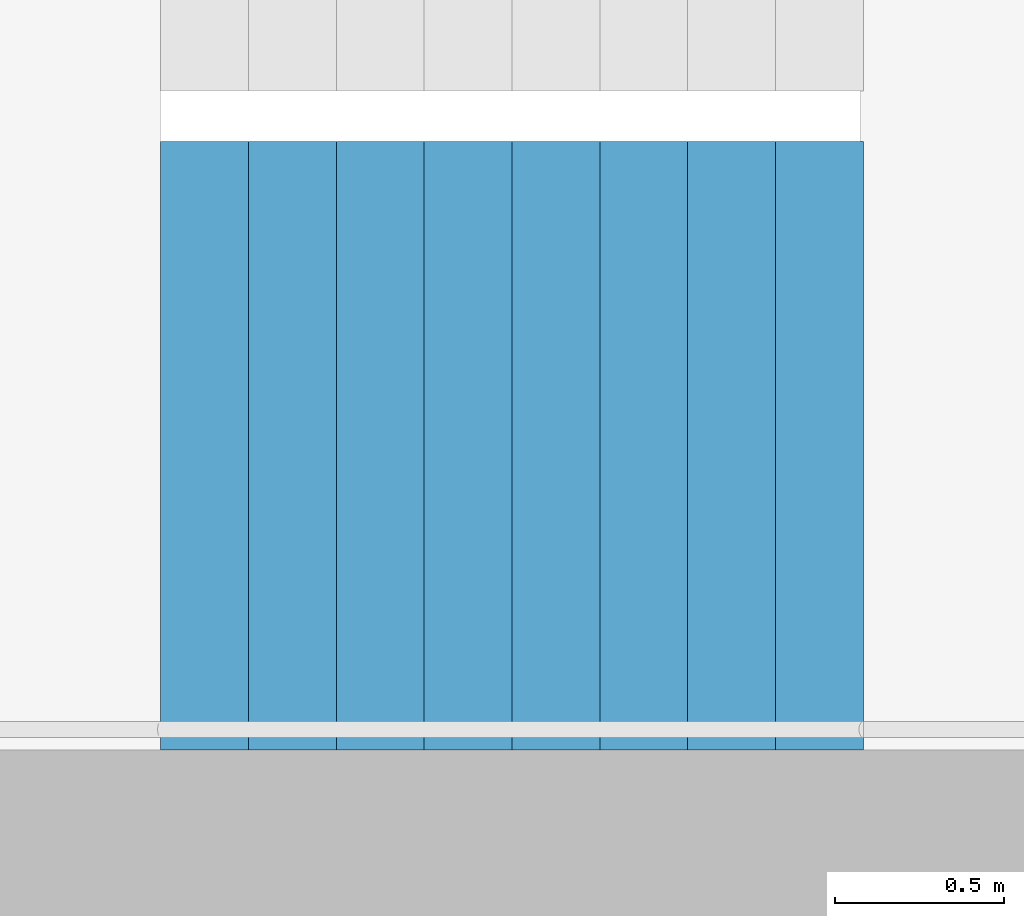
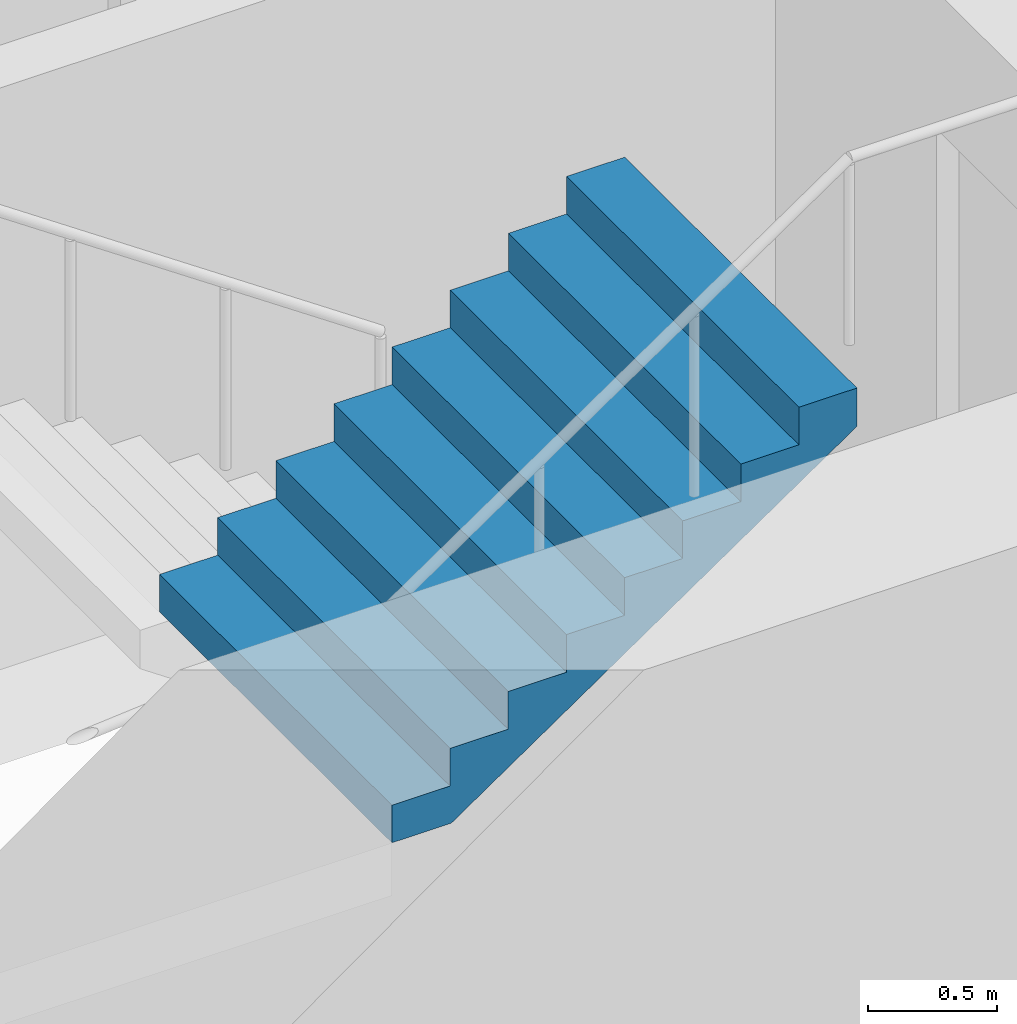
# One storey, part 18 of 26: 1 stair flight, 1 element without a shape of its own.
"""IFC4 building model written with IfcOpenShell, lengths in metres."""

from ifc_helpers import new_model, si_unit, direction, frame, origin, place, context, subcontext, project, spatial, triangles, material, type_object, element, aggregate, save


model = new_model("IFC4")

# Units and contexts
model_context = context("Model", 3, precision=1e-05, world=origin(), true_north=direction((0.0, 1.0)))
body_context = subcontext(model_context, "Body", "Model", "MODEL_VIEW")
ifc_project = project(units=[si_unit("LENGTHUNIT", "METRE"), si_unit("AREAUNIT", "SQUARE_METRE"), si_unit("VOLUMEUNIT", "CUBIC_METRE"), si_unit("PLANEANGLEUNIT", "RADIAN"), si_unit("MASSUNIT", "GRAM", prefix="KILO")], contexts=[model_context])

# Site, building, storey
site_placement = place(None, origin())
site = spatial("IfcSite", under=ifc_project, at=site_placement, CompositionType="ELEMENT")
building_placement = place(site_placement, origin())
building = spatial("IfcBuilding", under=site, at=building_placement, Name="Hakoniwa Tower and Hamabe Station Hall", CompositionType="ELEMENT")
storey_placement = place(building_placement, frame((0.0, 0.0, 189.800048828125)))
storey = spatial("IfcBuildingStorey", under=building, at=storey_placement, Name="L53", CompositionType="ELEMENT", Elevation=189.800048828125)

# Stair, stair flight
ifc_material_1 = material(Name="Concrete C40", Category="concrete")
stair_type = type_object("IfcStairType", Name="ESCAPE STAIR 1800", PredefinedType="HALF_TURN_STAIR", material=ifc_material_1)
stair_placement = place(storey_placement, origin())
stair = element("IfcStair", 1, at=stair_placement, inside=storey, type_object=stair_type, Name="Escape stair ST-2 L53", PredefinedType="HALF_TURN_STAIR")
ifc_material_2 = material(Name="Concrete C40", Category="concrete")
stair_flight_type = type_object("IfcStairFlightType", Name="STAIR FLIGHT 1800", PredefinedType="STRAIGHT", material=ifc_material_2)
stair_flight_placement = place(storey_placement, frame((-25.47998046875, -6.60009765625, 1.599853515625), z_axis=(0.0, 0.0, 1.0), x_axis=(1.0, 0.0, 0.0)))
stair_flight = element("IfcStairFlight", 2, at=stair_flight_placement, type_object=stair_flight_type, Name="ST-2 flight 2", NumberOfRisers=9, NumberOfTreads=8, PredefinedType="STRAIGHT", RiserHeight=0.177777778, TreadLength=0.26, context=body_context, shape_type="Tessellation", body=[
    triangles([(0.0, 0.89990234375, 0.0), (0.260009765625, 0.89990234375, 0.0), (0.265625, 0.89990234375, 0.0), (0.52001953125, 0.89990234375, 0.174072265625), (0.780029296875, 0.89990234375, 0.351806640625), (1.0400390625, 0.89990234375, 0.529541015625), (1.300048828125, 0.89990234375, 0.707275390625), (1.56005859375, 0.89990234375, 0.885009765625), (1.820068359375, 0.89990234375, 1.062744140625), (2.080078125, 0.89990234375, 1.24072265625), (2.080078125, 0.89990234375, 1.422119140625), (1.820068359375, 0.89990234375, 1.422119140625), (1.820068359375, 0.89990234375, 1.244384765625), (1.56005859375, 0.89990234375, 1.244384765625), (1.56005859375, 0.89990234375, 1.066650390625), (1.300048828125, 0.89990234375, 1.066650390625), (1.300048828125, 0.89990234375, 0.888916015625), (1.0400390625, 0.89990234375, 0.888916015625), (1.0400390625, 0.89990234375, 0.711181640625), (0.780029296875, 0.89990234375, 0.711181640625), (0.780029296875, 0.89990234375, 0.533447265625), (0.52001953125, 0.89990234375, 0.533447265625), (0.52001953125, 0.89990234375, 0.35546875), (0.265625, 0.89990234375, 0.35546875), (0.260009765625, 0.89990234375, 0.35546875), (0.260009765625, 0.89990234375, 0.177734375), (0.0, 0.89990234375, 0.177734375), (0.0, 0.06005859375, 0.0), (0.260009765625, 0.06005859375, 0.0), (0.265625, 0.06005859375, 0.0), (0.52001953125, 0.06005859375, 0.174072265625), (0.780029296875, 0.06005859375, 0.351806640625), (1.0400390625, 0.06005859375, 0.529541015625), (1.300048828125, 0.06005859375, 0.707275390625), (1.56005859375, 0.06005859375, 0.885009765625), (1.820068359375, 0.06005859375, 1.062744140625), (2.080078125, 0.06005859375, 1.24072265625), (2.080078125, 0.06005859375, 1.422119140625), (1.820068359375, 0.06005859375, 1.422119140625), (1.820068359375, 0.06005859375, 1.244384765625), (1.56005859375, 0.06005859375, 1.244384765625), (1.56005859375, 0.06005859375, 1.066650390625), (1.300048828125, 0.06005859375, 1.066650390625), (1.300048828125, 0.06005859375, 0.888916015625), (1.0400390625, 0.06005859375, 0.888916015625), (1.0400390625, 0.06005859375, 0.711181640625), (0.780029296875, 0.06005859375, 0.711181640625), (0.780029296875, 0.06005859375, 0.533447265625), (0.52001953125, 0.06005859375, 0.533447265625), (0.52001953125, 0.06005859375, 0.35546875), (0.265625, 0.06005859375, 0.35546875), (0.260009765625, 0.06005859375, 0.35546875), (0.260009765625, 0.06005859375, 0.177734375), (0.0, 0.06005859375, 0.177734375), (0.0, 0.04296875, 0.0), (0.260009765625, 0.04296875, 0.0), (0.265625, 0.04296875, 0.0), (0.52001953125, 0.04296875, 0.174072265625), (0.780029296875, 0.04296875, 0.351806640625), (1.0400390625, 0.04296875, 0.529541015625), (1.300048828125, 0.04296875, 0.707275390625), (1.56005859375, 0.04296875, 0.885009765625), (1.820068359375, 0.04296875, 1.062744140625), (2.080078125, 0.04296875, 1.24072265625), (2.080078125, 0.04296875, 1.422119140625), (1.820068359375, 0.04296875, 1.422119140625), (1.820068359375, 0.04296875, 1.244384765625), (1.56005859375, 0.04296875, 1.244384765625), (1.56005859375, 0.04296875, 1.066650390625), (1.300048828125, 0.04296875, 1.066650390625), (1.300048828125, 0.04296875, 0.888916015625), (1.0400390625, 0.04296875, 0.888916015625), (1.0400390625, 0.04296875, 0.711181640625), (0.780029296875, 0.04296875, 0.711181640625), (0.780029296875, 0.04296875, 0.533447265625), (0.52001953125, 0.04296875, 0.533447265625), (0.52001953125, 0.04296875, 0.35546875), (0.265625, 0.04296875, 0.35546875), (0.260009765625, 0.04296875, 0.35546875), (0.260009765625, 0.04296875, 0.177734375), (0.0, 0.04296875, 0.177734375), (0.0, 0.025634765625, 0.0), (0.260009765625, 0.025634765625, 0.0), (0.265625, 0.025634765625, 0.0), (0.52001953125, 0.025634765625, 0.174072265625), (0.780029296875, 0.025634765625, 0.351806640625), (1.0400390625, 0.025634765625, 0.529541015625), (1.300048828125, 0.025634765625, 0.707275390625), (1.56005859375, 0.025634765625, 0.885009765625), (1.820068359375, 0.025634765625, 1.062744140625), (2.080078125, 0.025634765625, 1.24072265625), (2.080078125, 0.025634765625, 1.422119140625), (1.820068359375, 0.025634765625, 1.422119140625), (1.820068359375, 0.025634765625, 1.244384765625), (1.56005859375, 0.025634765625, 1.244384765625), (1.56005859375, 0.025634765625, 1.066650390625), (1.300048828125, 0.025634765625, 1.066650390625), (1.300048828125, 0.025634765625, 0.888916015625), (1.0400390625, 0.025634765625, 0.888916015625), (1.0400390625, 0.025634765625, 0.711181640625), (0.780029296875, 0.025634765625, 0.711181640625), (0.780029296875, 0.025634765625, 0.533447265625), (0.52001953125, 0.025634765625, 0.533447265625), (0.52001953125, 0.025634765625, 0.35546875), (0.265625, 0.025634765625, 0.35546875), (0.260009765625, 0.025634765625, 0.35546875), (0.260009765625, 0.025634765625, 0.177734375), (0.0, 0.025634765625, 0.177734375), (0.0, 0.008544921875, 0.0), (0.260009765625, 0.008544921875, 0.0), (0.265625, 0.008544921875, 0.0), (0.52001953125, 0.008544921875, 0.174072265625), (0.780029296875, 0.008544921875, 0.351806640625), (1.0400390625, 0.008544921875, 0.529541015625), (1.300048828125, 0.008544921875, 0.707275390625), (1.56005859375, 0.008544921875, 0.885009765625), (1.820068359375, 0.008544921875, 1.062744140625), (2.080078125, 0.008544921875, 1.24072265625), (2.080078125, 0.008544921875, 1.422119140625), (1.820068359375, 0.008544921875, 1.422119140625), (1.820068359375, 0.008544921875, 1.244384765625), (1.56005859375, 0.008544921875, 1.244384765625), (1.56005859375, 0.008544921875, 1.066650390625), (1.300048828125, 0.008544921875, 1.066650390625), (1.300048828125, 0.008544921875, 0.888916015625), (1.0400390625, 0.008544921875, 0.888916015625), (1.0400390625, 0.008544921875, 0.711181640625), (0.780029296875, 0.008544921875, 0.711181640625), (0.780029296875, 0.008544921875, 0.533447265625), (0.52001953125, 0.008544921875, 0.533447265625), (0.52001953125, 0.008544921875, 0.35546875), (0.265625, 0.008544921875, 0.35546875), (0.260009765625, 0.008544921875, 0.35546875), (0.260009765625, 0.008544921875, 0.177734375), (0.0, 0.008544921875, 0.177734375), (0.0, -0.008544921875, 0.0), (0.260009765625, -0.008544921875, 0.0), (0.265625, -0.008544921875, 0.0), (0.52001953125, -0.008544921875, 0.174072265625), (0.780029296875, -0.008544921875, 0.351806640625), (1.0400390625, -0.008544921875, 0.529541015625), (1.300048828125, -0.008544921875, 0.707275390625), (1.56005859375, -0.008544921875, 0.885009765625), (1.820068359375, -0.008544921875, 1.062744140625), (2.080078125, -0.008544921875, 1.24072265625), (2.080078125, -0.008544921875, 1.422119140625), (1.820068359375, -0.008544921875, 1.422119140625), (1.820068359375, -0.008544921875, 1.244384765625), (1.56005859375, -0.008544921875, 1.244384765625), (1.56005859375, -0.008544921875, 1.066650390625), (1.300048828125, -0.008544921875, 1.066650390625), (1.300048828125, -0.008544921875, 0.888916015625), (1.0400390625, -0.008544921875, 0.888916015625), (1.0400390625, -0.008544921875, 0.711181640625), (0.780029296875, -0.008544921875, 0.711181640625), (0.780029296875, -0.008544921875, 0.533447265625), (0.52001953125, -0.008544921875, 0.533447265625), (0.52001953125, -0.008544921875, 0.35546875), (0.265625, -0.008544921875, 0.35546875), (0.260009765625, -0.008544921875, 0.35546875), (0.260009765625, -0.008544921875, 0.177734375), (0.0, -0.008544921875, 0.177734375), (0.0, -0.025634765625, 0.0), (0.260009765625, -0.025634765625, 0.0), (0.265625, -0.025634765625, 0.0), (0.52001953125, -0.025634765625, 0.174072265625), (0.780029296875, -0.025634765625, 0.351806640625), (1.0400390625, -0.025634765625, 0.529541015625), (1.300048828125, -0.025634765625, 0.707275390625), (1.56005859375, -0.025634765625, 0.885009765625), (1.820068359375, -0.025634765625, 1.062744140625), (2.080078125, -0.025634765625, 1.24072265625), (2.080078125, -0.025634765625, 1.422119140625), (1.820068359375, -0.025634765625, 1.422119140625), (1.820068359375, -0.025634765625, 1.244384765625), (1.56005859375, -0.025634765625, 1.244384765625), (1.56005859375, -0.025634765625, 1.066650390625), (1.300048828125, -0.025634765625, 1.066650390625), (1.300048828125, -0.025634765625, 0.888916015625), (1.0400390625, -0.025634765625, 0.888916015625), (1.0400390625, -0.025634765625, 0.711181640625), (0.780029296875, -0.025634765625, 0.711181640625), (0.780029296875, -0.025634765625, 0.533447265625), (0.52001953125, -0.025634765625, 0.533447265625), (0.52001953125, -0.025634765625, 0.35546875), (0.265625, -0.025634765625, 0.35546875), (0.260009765625, -0.025634765625, 0.35546875), (0.260009765625, -0.025634765625, 0.177734375), (0.0, -0.025634765625, 0.177734375), (0.0, -0.04296875, 0.0), (0.260009765625, -0.04296875, 0.0), (0.265625, -0.04296875, 0.0), (0.52001953125, -0.04296875, 0.174072265625), (0.780029296875, -0.04296875, 0.351806640625), (1.0400390625, -0.04296875, 0.529541015625), (1.300048828125, -0.04296875, 0.707275390625), (1.56005859375, -0.04296875, 0.885009765625), (1.820068359375, -0.04296875, 1.062744140625), (2.080078125, -0.04296875, 1.24072265625), (2.080078125, -0.04296875, 1.422119140625), (1.820068359375, -0.04296875, 1.422119140625), (1.820068359375, -0.04296875, 1.244384765625), (1.56005859375, -0.04296875, 1.244384765625), (1.56005859375, -0.04296875, 1.066650390625), (1.300048828125, -0.04296875, 1.066650390625), (1.300048828125, -0.04296875, 0.888916015625), (1.0400390625, -0.04296875, 0.888916015625), (1.0400390625, -0.04296875, 0.711181640625), (0.780029296875, -0.04296875, 0.711181640625), (0.780029296875, -0.04296875, 0.533447265625), (0.52001953125, -0.04296875, 0.533447265625), (0.52001953125, -0.04296875, 0.35546875), (0.265625, -0.04296875, 0.35546875), (0.260009765625, -0.04296875, 0.35546875), (0.260009765625, -0.04296875, 0.177734375), (0.0, -0.04296875, 0.177734375), (0.0, -0.06005859375, 0.0), (0.260009765625, -0.06005859375, 0.0), (0.265625, -0.06005859375, 0.0), (0.52001953125, -0.06005859375, 0.174072265625), (0.780029296875, -0.06005859375, 0.351806640625), (1.0400390625, -0.06005859375, 0.529541015625), (1.300048828125, -0.06005859375, 0.707275390625), (1.56005859375, -0.06005859375, 0.885009765625), (1.820068359375, -0.06005859375, 1.062744140625), (2.080078125, -0.06005859375, 1.24072265625), (2.080078125, -0.06005859375, 1.422119140625), (1.820068359375, -0.06005859375, 1.422119140625), (1.820068359375, -0.06005859375, 1.244384765625), (1.56005859375, -0.06005859375, 1.244384765625), (1.56005859375, -0.06005859375, 1.066650390625), (1.300048828125, -0.06005859375, 1.066650390625), (1.300048828125, -0.06005859375, 0.888916015625), (1.0400390625, -0.06005859375, 0.888916015625), (1.0400390625, -0.06005859375, 0.711181640625), (0.780029296875, -0.06005859375, 0.711181640625), (0.780029296875, -0.06005859375, 0.533447265625), (0.52001953125, -0.06005859375, 0.533447265625), (0.52001953125, -0.06005859375, 0.35546875), (0.265625, -0.06005859375, 0.35546875), (0.260009765625, -0.06005859375, 0.35546875), (0.260009765625, -0.06005859375, 0.177734375), (0.0, -0.06005859375, 0.177734375), (0.0, -0.89990234375, 0.0), (0.260009765625, -0.89990234375, 0.0), (0.265625, -0.89990234375, 0.0), (0.52001953125, -0.89990234375, 0.174072265625), (0.780029296875, -0.89990234375, 0.351806640625), (1.0400390625, -0.89990234375, 0.529541015625), (1.300048828125, -0.89990234375, 0.707275390625), (1.56005859375, -0.89990234375, 0.885009765625), (1.820068359375, -0.89990234375, 1.062744140625), (2.080078125, -0.89990234375, 1.24072265625), (2.080078125, -0.89990234375, 1.422119140625), (1.820068359375, -0.89990234375, 1.422119140625), (1.820068359375, -0.89990234375, 1.244384765625), (1.56005859375, -0.89990234375, 1.244384765625), (1.56005859375, -0.89990234375, 1.066650390625), (1.300048828125, -0.89990234375, 1.066650390625), (1.300048828125, -0.89990234375, 0.888916015625), (1.0400390625, -0.89990234375, 0.888916015625), (1.0400390625, -0.89990234375, 0.711181640625), (0.780029296875, -0.89990234375, 0.711181640625), (0.780029296875, -0.89990234375, 0.533447265625), (0.52001953125, -0.89990234375, 0.533447265625), (0.52001953125, -0.89990234375, 0.35546875), (0.265625, -0.89990234375, 0.35546875), (0.260009765625, -0.89990234375, 0.35546875), (0.260009765625, -0.89990234375, 0.177734375), (0.0, -0.89990234375, 0.177734375)], [[2, 27, 26], [245, 269, 270], [2, 1, 27], [245, 270, 244], [3, 25, 24], [246, 267, 268], [3, 26, 25], [246, 268, 269], [3, 2, 26], [246, 269, 245], [4, 24, 23], [247, 266, 267], [4, 3, 24], [247, 267, 246], [5, 22, 21], [248, 264, 265], [5, 23, 22], [248, 265, 266], [5, 4, 23], [248, 266, 247], [6, 20, 19], [249, 262, 263], [6, 21, 20], [249, 263, 264], [6, 5, 21], [249, 264, 248], [7, 18, 17], [250, 260, 261], [7, 19, 18], [250, 261, 262], [7, 6, 19], [250, 262, 249], [8, 16, 15], [251, 258, 259], [8, 17, 16], [251, 259, 260], [8, 7, 17], [251, 260, 250], [9, 14, 13], [252, 256, 257], [9, 15, 14], [252, 257, 258], [9, 8, 15], [252, 258, 251], [10, 12, 11], [253, 254, 255], [10, 13, 12], [253, 255, 256], [10, 9, 13], [253, 256, 252], [1, 2, 29], [1, 29, 28], [28, 29, 56], [28, 56, 55], [55, 56, 83], [55, 83, 82], [82, 83, 110], [82, 110, 109], [109, 110, 137], [109, 137, 136], [136, 137, 164], [136, 164, 163], [163, 164, 191], [163, 191, 190], [190, 191, 218], [190, 218, 217], [217, 218, 245], [217, 245, 244], [2, 3, 30], [2, 30, 29], [29, 30, 57], [29, 57, 56], [56, 57, 84], [56, 84, 83], [83, 84, 111], [83, 111, 110], [110, 111, 138], [110, 138, 137], [137, 138, 165], [137, 165, 164], [164, 165, 192], [164, 192, 191], [191, 192, 219], [191, 219, 218], [218, 219, 246], [218, 246, 245], [3, 4, 31], [3, 31, 30], [30, 31, 58], [30, 58, 57], [57, 58, 85], [57, 85, 84], [84, 85, 112], [84, 112, 111], [111, 112, 139], [111, 139, 138], [138, 139, 166], [138, 166, 165], [165, 166, 193], [165, 193, 192], [192, 193, 220], [192, 220, 219], [219, 220, 247], [219, 247, 246], [4, 5, 32], [4, 32, 31], [31, 32, 59], [31, 59, 58], [58, 59, 86], [58, 86, 85], [85, 86, 113], [85, 113, 112], [112, 113, 140], [112, 140, 139], [139, 140, 167], [139, 167, 166], [166, 167, 194], [166, 194, 193], [193, 194, 221], [193, 221, 220], [220, 221, 248], [220, 248, 247], [5, 6, 33], [5, 33, 32], [32, 33, 60], [32, 60, 59], [59, 60, 87], [59, 87, 86], [86, 87, 114], [86, 114, 113], [113, 114, 141], [113, 141, 140], [140, 141, 168], [140, 168, 167], [167, 168, 195], [167, 195, 194], [194, 195, 222], [194, 222, 221], [221, 222, 249], [221, 249, 248], [6, 7, 34], [6, 34, 33], [33, 34, 61], [33, 61, 60], [60, 61, 88], [60, 88, 87], [87, 88, 115], [87, 115, 114], [114, 115, 142], [114, 142, 141], [141, 142, 169], [141, 169, 168], [168, 169, 196], [168, 196, 195], [195, 196, 223], [195, 223, 222], [222, 223, 250], [222, 250, 249], [7, 8, 35], [7, 35, 34], [34, 35, 62], [34, 62, 61], [61, 62, 89], [61, 89, 88], [88, 89, 116], [88, 116, 115], [115, 116, 143], [115, 143, 142], [142, 143, 170], [142, 170, 169], [169, 170, 197], [169, 197, 196], [196, 197, 224], [196, 224, 223], [223, 224, 251], [223, 251, 250], [8, 9, 36], [8, 36, 35], [35, 36, 63], [35, 63, 62], [62, 63, 90], [62, 90, 89], [89, 90, 117], [89, 117, 116], [116, 117, 144], [116, 144, 143], [143, 144, 171], [143, 171, 170], [170, 171, 198], [170, 198, 197], [197, 198, 225], [197, 225, 224], [224, 225, 252], [224, 252, 251], [9, 10, 37], [9, 37, 36], [36, 37, 64], [36, 64, 63], [63, 64, 91], [63, 91, 90], [90, 91, 118], [90, 118, 117], [117, 118, 145], [117, 145, 144], [144, 145, 172], [144, 172, 171], [171, 172, 199], [171, 199, 198], [198, 199, 226], [198, 226, 225], [225, 226, 253], [225, 253, 252], [10, 11, 38], [10, 38, 37], [37, 38, 65], [37, 65, 64], [64, 65, 92], [64, 92, 91], [91, 92, 119], [91, 119, 118], [118, 119, 146], [118, 146, 145], [145, 146, 173], [145, 173, 172], [172, 173, 200], [172, 200, 199], [199, 200, 227], [199, 227, 226], [226, 227, 254], [226, 254, 253], [11, 12, 39], [11, 39, 38], [38, 39, 66], [38, 66, 65], [65, 66, 93], [65, 93, 92], [92, 93, 120], [92, 120, 119], [119, 120, 147], [119, 147, 146], [146, 147, 174], [146, 174, 173], [173, 174, 201], [173, 201, 200], [200, 201, 228], [200, 228, 227], [227, 228, 255], [227, 255, 254], [12, 13, 40], [12, 40, 39], [39, 40, 67], [39, 67, 66], [66, 67, 94], [66, 94, 93], [93, 94, 121], [93, 121, 120], [120, 121, 148], [120, 148, 147], [147, 148, 175], [147, 175, 174], [174, 175, 202], [174, 202, 201], [201, 202, 229], [201, 229, 228], [228, 229, 256], [228, 256, 255], [13, 14, 41], [13, 41, 40], [40, 41, 68], [40, 68, 67], [67, 68, 95], [67, 95, 94], [94, 95, 122], [94, 122, 121], [121, 122, 149], [121, 149, 148], [148, 149, 176], [148, 176, 175], [175, 176, 203], [175, 203, 202], [202, 203, 230], [202, 230, 229], [229, 230, 257], [229, 257, 256], [14, 15, 42], [14, 42, 41], [41, 42, 69], [41, 69, 68], [68, 69, 96], [68, 96, 95], [95, 96, 123], [95, 123, 122], [122, 123, 150], [122, 150, 149], [149, 150, 177], [149, 177, 176], [176, 177, 204], [176, 204, 203], [203, 204, 231], [203, 231, 230], [230, 231, 258], [230, 258, 257], [15, 16, 43], [15, 43, 42], [42, 43, 70], [42, 70, 69], [69, 70, 97], [69, 97, 96], [96, 97, 124], [96, 124, 123], [123, 124, 151], [123, 151, 150], [150, 151, 178], [150, 178, 177], [177, 178, 205], [177, 205, 204], [204, 205, 232], [204, 232, 231], [231, 232, 259], [231, 259, 258], [16, 17, 44], [16, 44, 43], [43, 44, 71], [43, 71, 70], [70, 71, 98], [70, 98, 97], [97, 98, 125], [97, 125, 124], [124, 125, 152], [124, 152, 151], [151, 152, 179], [151, 179, 178], [178, 179, 206], [178, 206, 205], [205, 206, 233], [205, 233, 232], [232, 233, 260], [232, 260, 259], [17, 18, 45], [17, 45, 44], [44, 45, 72], [44, 72, 71], [71, 72, 99], [71, 99, 98], [98, 99, 126], [98, 126, 125], [125, 126, 153], [125, 153, 152], [152, 153, 180], [152, 180, 179], [179, 180, 207], [179, 207, 206], [206, 207, 234], [206, 234, 233], [233, 234, 261], [233, 261, 260], [18, 19, 46], [18, 46, 45], [45, 46, 73], [45, 73, 72], [72, 73, 100], [72, 100, 99], [99, 100, 127], [99, 127, 126], [126, 127, 154], [126, 154, 153], [153, 154, 181], [153, 181, 180], [180, 181, 208], [180, 208, 207], [207, 208, 235], [207, 235, 234], [234, 235, 262], [234, 262, 261], [19, 20, 47], [19, 47, 46], [46, 47, 74], [46, 74, 73], [73, 74, 101], [73, 101, 100], [100, 101, 128], [100, 128, 127], [127, 128, 155], [127, 155, 154], [154, 155, 182], [154, 182, 181], [181, 182, 209], [181, 209, 208], [208, 209, 236], [208, 236, 235], [235, 236, 263], [235, 263, 262], [20, 21, 48], [20, 48, 47], [47, 48, 75], [47, 75, 74], [74, 75, 102], [74, 102, 101], [101, 102, 129], [101, 129, 128], [128, 129, 156], [128, 156, 155], [155, 156, 183], [155, 183, 182], [182, 183, 210], [182, 210, 209], [209, 210, 237], [209, 237, 236], [236, 237, 264], [236, 264, 263], [21, 22, 49], [21, 49, 48], [48, 49, 76], [48, 76, 75], [75, 76, 103], [75, 103, 102], [102, 103, 130], [102, 130, 129], [129, 130, 157], [129, 157, 156], [156, 157, 184], [156, 184, 183], [183, 184, 211], [183, 211, 210], [210, 211, 238], [210, 238, 237], [237, 238, 265], [237, 265, 264], [22, 23, 50], [22, 50, 49], [49, 50, 77], [49, 77, 76], [76, 77, 104], [76, 104, 103], [103, 104, 131], [103, 131, 130], [130, 131, 158], [130, 158, 157], [157, 158, 185], [157, 185, 184], [184, 185, 212], [184, 212, 211], [211, 212, 239], [211, 239, 238], [238, 239, 266], [238, 266, 265], [23, 24, 51], [23, 51, 50], [50, 51, 78], [50, 78, 77], [77, 78, 105], [77, 105, 104], [104, 105, 132], [104, 132, 131], [131, 132, 159], [131, 159, 158], [158, 159, 186], [158, 186, 185], [185, 186, 213], [185, 213, 212], [212, 213, 240], [212, 240, 239], [239, 240, 267], [239, 267, 266], [24, 25, 52], [24, 52, 51], [51, 52, 79], [51, 79, 78], [78, 79, 106], [78, 106, 105], [105, 106, 133], [105, 133, 132], [132, 133, 160], [132, 160, 159], [159, 160, 187], [159, 187, 186], [186, 187, 214], [186, 214, 213], [213, 214, 241], [213, 241, 240], [240, 241, 268], [240, 268, 267], [25, 26, 53], [25, 53, 52], [52, 53, 80], [52, 80, 79], [79, 80, 107], [79, 107, 106], [106, 107, 134], [106, 134, 133], [133, 134, 161], [133, 161, 160], [160, 161, 188], [160, 188, 187], [187, 188, 215], [187, 215, 214], [214, 215, 242], [214, 242, 241], [241, 242, 269], [241, 269, 268], [26, 27, 54], [26, 54, 53], [53, 54, 81], [53, 81, 80], [80, 81, 108], [80, 108, 107], [107, 108, 135], [107, 135, 134], [134, 135, 162], [134, 162, 161], [161, 162, 189], [161, 189, 188], [188, 189, 216], [188, 216, 215], [215, 216, 243], [215, 243, 242], [242, 243, 270], [242, 270, 269], [27, 1, 28], [27, 28, 54], [54, 28, 55], [54, 55, 81], [81, 55, 82], [81, 82, 108], [108, 82, 109], [108, 109, 135], [135, 109, 136], [135, 136, 162], [162, 136, 163], [162, 163, 189], [189, 163, 190], [189, 190, 216], [216, 190, 217], [216, 217, 243], [243, 217, 244], [243, 244, 270]], closed=True),
])
aggregate(stair, [stair_flight])

save(model, "model.ifc")
